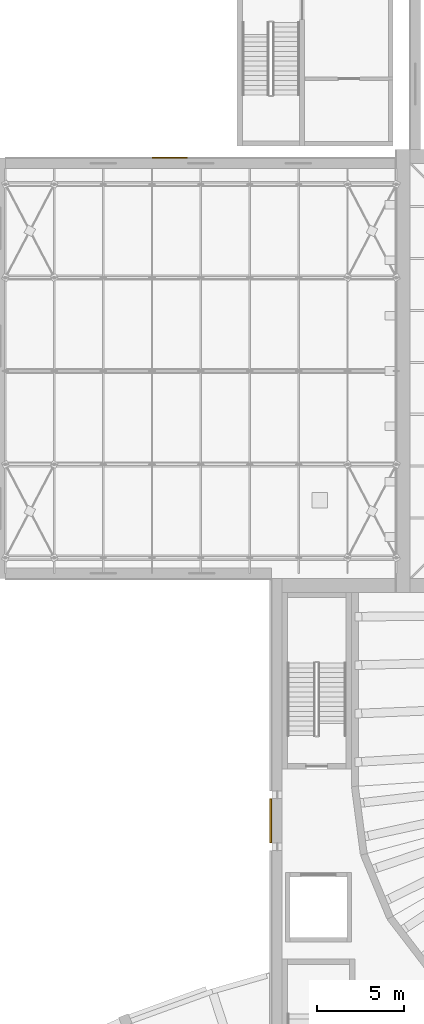
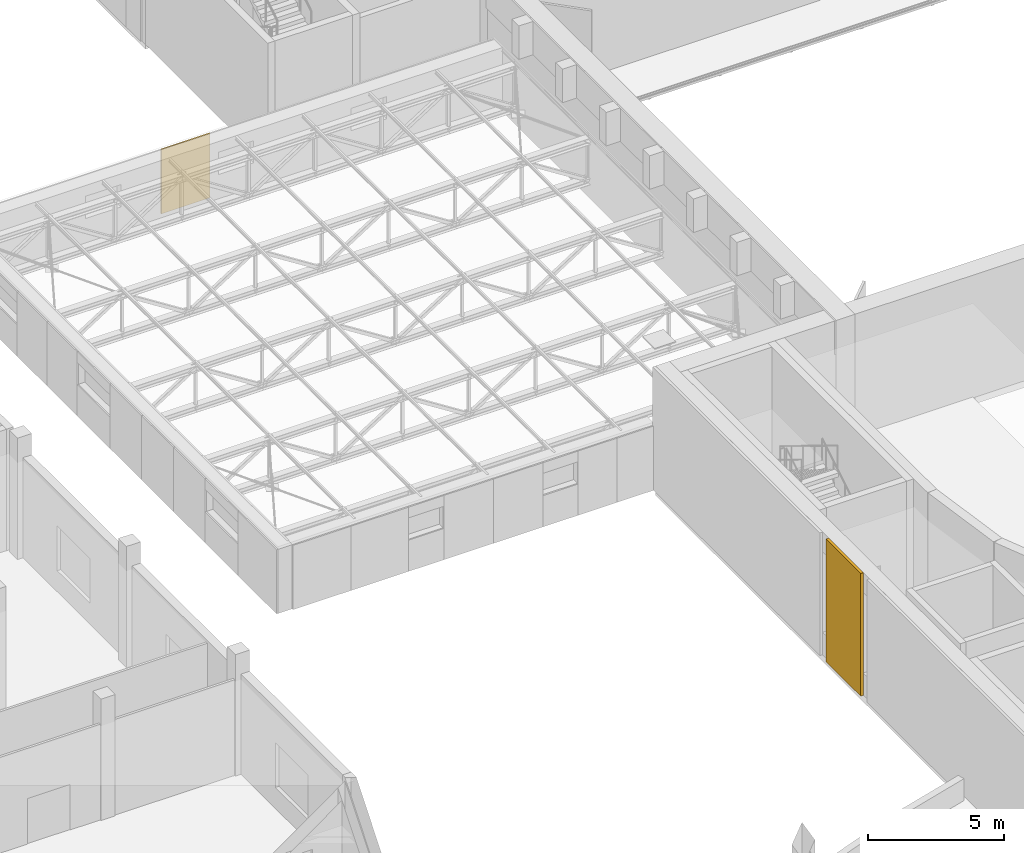
# One storey, part 115 of 132: 2 coverings.
"""IFC4 building model written with IfcOpenShell, lengths in metres."""

from ifc_helpers import new_model, si_unit, direction, frame, origin, origin_2d, place, context, subcontext, project, spatial, rectangle, extrude, material, layer, layer_set, type_object, element, save


model = new_model("IFC4")

# Units and contexts
model_context = context("Model", 3, precision=1e-05, world=origin(), true_north=direction((0.0, 1.0)))
body_context = subcontext(model_context, "Body", "Model", "MODEL_VIEW")
ifc_project = project(units=[si_unit("LENGTHUNIT", "METRE"), si_unit("AREAUNIT", "SQUARE_METRE"), si_unit("VOLUMEUNIT", "CUBIC_METRE"), si_unit("PLANEANGLEUNIT", "RADIAN"), si_unit("MASSUNIT", "GRAM", prefix="KILO")], contexts=[model_context])

# Site, building, storey
site_placement = place(None, origin())
site = spatial("IfcSite", under=ifc_project, at=site_placement, CompositionType="ELEMENT")
building_placement = place(site_placement, origin())
building = spatial("IfcBuilding", under=site, at=building_placement, Name="Lunette Opera House", CompositionType="ELEMENT")
storey_placement = place(building_placement, frame((0.0, 0.0, 17.0)))
storey = spatial("IfcBuildingStorey", under=building, at=storey_placement, Name="L03", CompositionType="ELEMENT", Elevation=17.0)

# Coverings
ifc_material_1 = material(Name="Clinker brick", Category="masonry")
ifc_layer_1 = layer(ifc_material_1, 0.114990234375)
ifc_layer_set_1 = layer_set([ifc_layer_1], Name="Clinker brick")
covering_type_1 = type_object("IfcCoveringType", Name="CLINKER CLADDING 115", PredefinedType="CLADDING", material=ifc_layer_set_1)
covering_1_placement = place(storey_placement, frame((75.94189453125, 82.0, 0.0), z_axis=(0.0, 0.0, 1.0), x_axis=(1.0, 0.0, 0.0)))
element("IfcCovering", 1, at=covering_1_placement, inside=storey, type_object=covering_type_1, Name="Clinker cladding WL L03 2", PredefinedType="CLADDING", context=body_context, shape_type="SweptSolid", body=[
    extrude(rectangle(XDim=0.114990234375, YDim=2.550048828125, at=origin_2d()), origin(), (0.0, 0.0, 1.0), 5.5),
])
ifc_material_2 = material(Name="Aluminium standing seam cladding", Category="aluminium")
ifc_layer_2 = layer(ifc_material_2, 0.06005859375)
ifc_layer_set_2 = layer_set([ifc_layer_2], Name="Aluminium standing seam cladding")
covering_type_2 = type_object("IfcCoveringType", Name="STANDING SEAM CLADDING 60", PredefinedType="CLADDING", material=ifc_layer_set_2)
covering_2_placement = place(storey_placement, frame((70.116943359375, 120.330078125, 0.0), z_axis=(0.0, 0.0, 1.0), x_axis=(1.0, 0.0, 0.0)))
element("IfcCovering", 2, at=covering_2_placement, inside=storey, type_object=covering_type_2, Name="Standing seam cladding SW-N-1 L03 21", PredefinedType="CLADDING", context=body_context, shape_type="SweptSolid", body=[
    extrude(rectangle(XDim=2.06689453125, YDim=0.06005859375, at=origin_2d()), origin(), (0.0, 0.0, 1.0), 2.8798828125),
])

save(model, "model.ifc")
